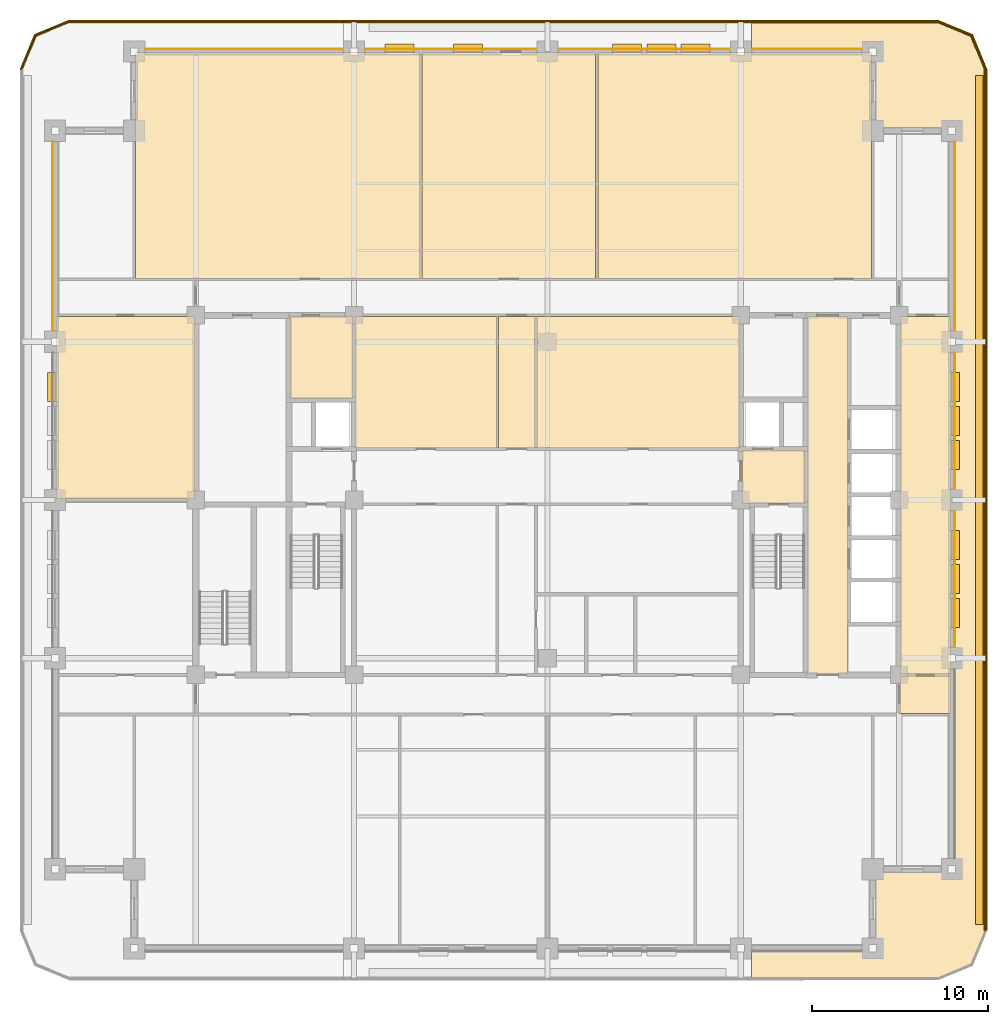
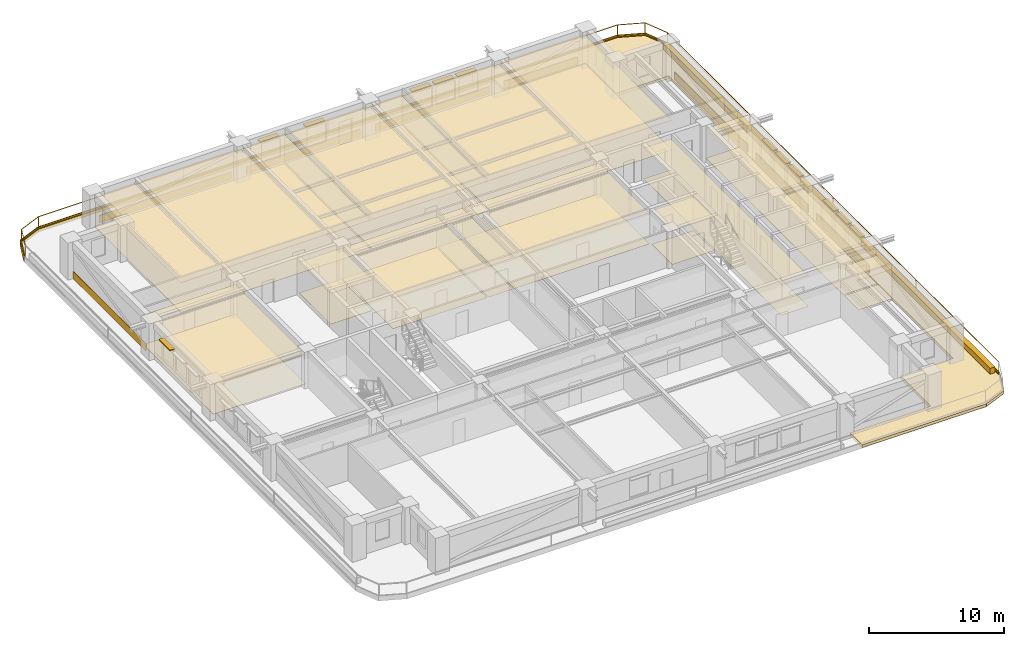
# One storey, part 14 of 14: 40 coverings, 12 shading devices, 2 railings.
"""IFC4 building model written with IfcOpenShell, lengths in metres."""

import ifcopenshell
import ifcopenshell.guid

model = None  # the IFC model being written
_history = None  # IfcOwnerHistory: only IFC2X3 demands one
_inside = {}  # id of a spatial element -> (the spatial element, [elements in it])
_under = {}  # id of a project, library or spatial element -> (it, [spatial elements below it])
_declared = {}  # id of a project -> (the project, [libraries it declares])
_typed = {}  # id of a type object -> (the type object, [elements of that type])
_made_of = {}  # id of a material, layer set ... -> (it, [elements and type objects made of it])


def new_model(schema):
    """Start an empty IFC model of exactly this schema.

    Asked for "IFC4X3", IfcOpenShell would pick the latest addendum, in which some entities
    have other attributes; the version numbers below select the first issue.
    IFC2X3 requires an IfcOwnerHistory on every rooted entity: one is made here for all.
    """
    global model, _history
    if schema == "IFC4X3":
        model = ifcopenshell.file(schema_version=(4, 3, 0, 0))
    else:
        model = ifcopenshell.file(schema=schema)
    _inside.clear()
    _under.clear()
    _declared.clear()
    _typed.clear()
    _made_of.clear()
    _history = None
    if model.schema == "IFC2X3":
        org = make("IfcOrganization", Name="unknown")
        user = make(
            "IfcPersonAndOrganization",
            ThePerson=make("IfcPerson", FamilyName="unknown"),
            TheOrganization=org,
        )
        app = make(
            "IfcApplication",
            ApplicationDeveloper=org,
            Version="unknown",
            ApplicationFullName="unknown",
            ApplicationIdentifier="unknown",
        )
        _history = make(
            "IfcOwnerHistory",
            OwningUser=user,
            OwningApplication=app,
            ChangeAction="ADDED",
            CreationDate=0,
        )
    return model


def make(cls, **values):
    """One entity of the class cls with the attributes given. An attribute that is None is left unset."""
    return model.create_entity(
        cls, **{name: value for name, value in values.items() if value is not None}
    )


def rooted(cls, **values):
    """An entity with a GlobalId (a new one), such as an element, a storey or a relation."""
    return make(cls, GlobalId=ifcopenshell.guid.new(), OwnerHistory=_history, **values)


def si_unit(unit_type, name, prefix=None):
    """IfcSIUnit, for example si_unit("LENGTHUNIT", "METRE", prefix="MILLI")."""
    return make("IfcSIUnit", UnitType=unit_type, Prefix=prefix, Name=name)


def assignment(units):
    """IfcUnitAssignment: the units of a project."""
    return None if units is None else make("IfcUnitAssignment", Units=units)


def point(xyz):
    """IfcCartesianPoint."""
    return None if xyz is None else make("IfcCartesianPoint", Coordinates=xyz)


def direction(xyz):
    """IfcDirection."""
    return None if xyz is None else make("IfcDirection", DirectionRatios=xyz)


def frame(location, z_axis=None, x_axis=None):
    """IfcAxis2Placement3D, a coordinate frame: its origin and axes. An axis left out is left unset."""
    return make(
        "IfcAxis2Placement3D",
        Location=point(location),
        Axis=direction(z_axis),
        RefDirection=direction(x_axis),
    )


def frame_2d(location, x_axis=None):
    """IfcAxis2Placement2D, a coordinate frame in the plane: its origin and x axis."""
    return make(
        "IfcAxis2Placement2D", Location=point(location), RefDirection=direction(x_axis)
    )


def origin():
    """The frame at (0, 0, 0) with its axes left unset."""
    return frame((0.0, 0.0, 0.0))


def origin_2d():
    """The frame at (0, 0) in the plane with its x axis left unset."""
    return frame_2d((0.0, 0.0))


def place(relative_to, where):
    """IfcLocalPlacement: puts the frame where relative to a parent placement (None: the world)."""
    return make(
        "IfcLocalPlacement", PlacementRelTo=relative_to, RelativePlacement=where
    )


def context(
    kind, dimensions, precision=None, world=None, true_north=None, identifier=None
):
    """IfcGeometricRepresentationContext, for example the 3D "Model" context."""
    return make(
        "IfcGeometricRepresentationContext",
        ContextIdentifier=identifier,
        ContextType=kind,
        CoordinateSpaceDimension=dimensions,
        Precision=precision,
        WorldCoordinateSystem=world,
        TrueNorth=true_north,
    )


def subcontext(parent, identifier, kind, view, scale=None):
    """IfcGeometricRepresentationSubContext, for example "Body" below "Model"."""
    return make(
        "IfcGeometricRepresentationSubContext",
        ContextIdentifier=identifier,
        ContextType=kind,
        ParentContext=parent,
        TargetScale=scale,
        TargetView=view,
    )


def project(units=None, contexts=None):
    """IfcProject with its units and contexts."""
    return rooted(
        "IfcProject",
        Name="project",
        RepresentationContexts=contexts,
        UnitsInContext=assignment(units),
    )


def spatial(cls, under=None, at=None, **own):
    """A site, building, storey or space (cls), placed at a placement, below another one or the project."""
    s = rooted(cls, ObjectPlacement=at, **own)
    if under is not None:
        _under.setdefault(under.id(), (under, []))[1].append(s)
    return s


def polyline(points):
    """IfcPolyline through the points."""
    return make("IfcPolyline", Points=[point(p) for p in points])


def profile(cls, at=None, kind="AREA", **sizes):
    """A parametric profile (cls). Its sizes go by their IFC names, for example OverallWidth=200.0."""
    return make(cls, ProfileType=kind, Position=at, **sizes)


def rectangle(**sizes):
    """IfcRectangleProfileDef."""
    return profile("IfcRectangleProfileDef", **sizes)


def outline(outer, holes=None, kind="AREA"):
    """IfcArbitraryClosedProfileDef: a profile drawn as a closed curve; with holes, ...WithVoids."""
    if holes is None:
        return make("IfcArbitraryClosedProfileDef", ProfileType=kind, OuterCurve=outer)
    return make(
        "IfcArbitraryProfileDefWithVoids",
        ProfileType=kind,
        OuterCurve=outer,
        InnerCurves=holes,
    )


def extrude(swept, where, along, depth):
    """IfcExtrudedAreaSolid: the profile swept, set in the frame where, extruded along a direction by depth."""
    return make(
        "IfcExtrudedAreaSolid",
        SweptArea=swept,
        Position=where,
        ExtrudedDirection=direction(along),
        Depth=depth,
    )


def shape(context_of_items, identifier, shape_type, items):
    """IfcShapeRepresentation: the items that make up one representation, for example the "Body"."""
    return make(
        "IfcShapeRepresentation",
        ContextOfItems=context_of_items,
        RepresentationIdentifier=identifier,
        RepresentationType=shape_type,
        Items=items,
    )


def material(Name=None, Category=None):
    """IfcMaterial."""
    return make("IfcMaterial", Name=Name, Category=Category)


def layer(
    of_material, thickness, ventilated=None, Name=None, Category=None, Priority=None
):
    """IfcMaterialLayer: one layer of a wall or slab, of a material (None: an air gap)."""
    return make(
        "IfcMaterialLayer",
        Material=of_material,
        LayerThickness=thickness,
        IsVentilated=ventilated,
        Name=Name,
        Category=Category,
        Priority=Priority,
    )


def layer_set(layers, Name=None):
    """IfcMaterialLayerSet."""
    return make("IfcMaterialLayerSet", MaterialLayers=layers, LayerSetName=Name)


def made_of(thing, what):
    """Note that an element or type object is made of a material, layer set ...; save() writes the relation."""
    if what is not None:
        _made_of.setdefault(what.id(), (what, []))[1].append(thing)
    return thing


def type_object(cls, material=None, **own):
    """A type object (cls), such as IfcWallType, which elements share."""
    return made_of(rooted(cls, **own), material)


def element(
    cls,
    number,
    at=None,
    inside=None,
    cuts=None,
    type_object=None,
    material=None,
    context=None,
    identifier="Body",
    shape_type=None,
    held_by="IfcProductDefinitionShape",
    body=None,
    shapes=None,
    **own,
):
    """One element of the class cls, such as IfcWall. Its Tag is "e" and its number.

    at: its placement. inside: the storey or other place that contains it. cuts: it is an
    opening in that element (IfcRelVoidsElement). A single representation is given by context,
    identifier, shape_type and body (its items); several are given by shapes. held_by: the class
    of the entity that holds the representations. save() writes the other relations.
    """
    e = rooted(cls, Tag="e%d" % number, ObjectPlacement=at, **own)
    if body is not None:
        shapes = [shape(context, identifier, shape_type, body)]
    if shapes is not None:
        e.Representation = make(held_by, Representations=shapes)
    if inside is not None:
        _inside.setdefault(inside.id(), (inside, []))[1].append(e)
    if cuts is not None:
        rooted(
            "IfcRelVoidsElement", RelatingBuildingElement=cuts, RelatedOpeningElement=e
        )
    if type_object is not None:
        _typed.setdefault(type_object.id(), (type_object, []))[1].append(e)
    return made_of(e, material)


def aggregate(whole, parts):
    """IfcRelAggregates: a whole, such as a stair, and the parts it consists of."""
    return rooted("IfcRelAggregates", RelatingObject=whole, RelatedObjects=parts)


def save(model, path):
    """Write the relations noted so far, then the file.

    IfcRelAggregates (storeys below a building ...), IfcRelContainedInSpatialStructure (elements
    in a storey), IfcRelDefinesByType, IfcRelAssociatesMaterial and IfcRelDeclares: one each for
    every whole, place, type object, material and project.
    """
    for whole, parts in _under.values():
        aggregate(whole, parts)
    for where, things in _inside.values():
        rooted(
            "IfcRelContainedInSpatialStructure",
            RelatedElements=things,
            RelatingStructure=where,
        )
    for kind, things in _typed.values():
        rooted("IfcRelDefinesByType", RelatedObjects=things, RelatingType=kind)
    for what, things in _made_of.values():
        rooted("IfcRelAssociatesMaterial", RelatedObjects=things, RelatingMaterial=what)
    for by, libraries in _declared.values():
        rooted("IfcRelDeclares", RelatingContext=by, RelatedDefinitions=libraries)
    model.write(path)


model = new_model("IFC4")

# Units and contexts
model_context = context("Model", 3, precision=1e-05, world=origin(), true_north=direction((0.0, 1.0)))
body_context = subcontext(model_context, "Body", "Model", "MODEL_VIEW")
ifc_project = project(units=[si_unit("LENGTHUNIT", "METRE"), si_unit("AREAUNIT", "SQUARE_METRE"), si_unit("VOLUMEUNIT", "CUBIC_METRE"), si_unit("PLANEANGLEUNIT", "RADIAN"), si_unit("MASSUNIT", "GRAM", prefix="KILO")], contexts=[model_context])

# Site, building, storey
site_placement = place(None, origin())
site = spatial("IfcSite", under=ifc_project, at=site_placement, CompositionType="ELEMENT")
building_placement = place(site_placement, origin())
building = spatial("IfcBuilding", under=site, at=building_placement, Name="Zulmaris Gate Convention Tower", CompositionType="ELEMENT")
storey_placement = place(building_placement, frame((0.0, 0.0, 135.6298828125)))
storey = spatial("IfcBuildingStorey", under=building, at=storey_placement, Name="L34", CompositionType="ELEMENT", Elevation=135.6298828125)

# Coverings
ifc_material_1 = material(Name="Precast concrete C40/50", Category="concrete")
ifc_layer_1 = layer(ifc_material_1, 0.0400390625, Name="Precast concrete C40/50")
ifc_layer_set_1 = layer_set([ifc_layer_1], Name="Precast concrete C40/50")
covering_type_1 = type_object("IfcCoveringType", Name="CLAD-SPANDREL-PRECAST", PredefinedType="CLADDING", material=ifc_layer_set_1)
covering_1_placement = place(storey_placement, frame((-11.6298828125, 25.64990234375, 0.0), z_axis=(0.0, 0.0, 1.0), x_axis=(-1.0, 0.0, 0.0)))
element("IfcCovering", 1, at=covering_1_placement, inside=storey, type_object=covering_type_1, Name="CLD-L34-N-0_0", PredefinedType="CLADDING", context=body_context, shape_type="SweptSolid", body=[
    extrude(rectangle(XDim=11.240234375, YDim=0.0400390625, at=frame_2d((5.6201171875, 0.0))), origin(), (0.0, 0.0, 1.0), 0.679931640625),
])
for number, where, z_axis, x_axis, name in (
    (2, (-0.6298828125, 25.64990234375, 0.0), (0.0, 0.0, 1.0), (-1.0, 0.0, 0.0), "CLD-L34-N-1_0"),
    (3, (10.3701171875, 25.64990234375, 0.0), (0.0, 0.0, 1.0), (-1.0, 0.0, 0.0), "CLD-L34-N-2_0"),
):
    element("IfcCovering", number, at=place(storey_placement, frame(where, z_axis=z_axis, x_axis=x_axis)), inside=storey, type_object=covering_type_1, Name=name, PredefinedType="CLADDING", context=body_context, shape_type="SweptSolid", body=[
        extrude(rectangle(XDim=9.740234375, YDim=0.0400390625, at=frame_2d((4.8701171875, 0.0))), origin(), (0.0, 0.0, 1.0), 0.679931640625),
    ])
covering_2_placement = place(storey_placement, frame((17.8701171875, 25.64990234375, 0.0), z_axis=(0.0, 0.0, 1.0), x_axis=(-1.0, 0.0, 0.0)))
element("IfcCovering", 4, at=covering_2_placement, inside=storey, type_object=covering_type_1, Name="CLD-L34-N-3_0", PredefinedType="CLADDING", context=body_context, shape_type="SweptSolid", body=[
    extrude(rectangle(XDim=6.240234375, YDim=0.0400390625, at=frame_2d((3.1201171875, 0.0))), origin(), (0.0, 0.0, 1.0), 0.679931640625),
])
for number, where, z_axis, x_axis, name in (
    (5, (23.14990234375, -8.3701171875, 0.0), (0.0, 0.0, 1.0), (0.0, 1.0, 0.0), "CLD-L34-E-1_0"),
    (6, (23.14990234375, 0.6298828125, 0.0), (0.0, 0.0, 1.0), (0.0, 1.0, 0.0), "CLD-L34-E-2_0"),
):
    element("IfcCovering", number, at=place(storey_placement, frame(where, z_axis=z_axis, x_axis=x_axis)), inside=storey, type_object=covering_type_1, Name=name, PredefinedType="CLADDING", context=body_context, shape_type="SweptSolid", body=[
        extrude(rectangle(XDim=7.740234375, YDim=0.0400390625, at=frame_2d((3.8701171875, 0.0))), origin(), (0.0, 0.0, 1.0), 0.679931640625),
    ])
for number, where, z_axis, x_axis, name in (
    (7, (23.14990234375, 9.6298828125, 0.0), (0.0, 0.0, 1.0), (0.0, 1.0, 0.0), "CLD-L34-E-3_0"),
    (8, (-28.14990234375, 20.3701171875, 0.0), (0.0, 0.0, 1.0), (0.0, -1.0, 0.0), "CLD-L34-W-3_0"),
):
    element("IfcCovering", number, at=place(storey_placement, frame(where, z_axis=z_axis, x_axis=x_axis)), inside=storey, type_object=covering_type_1, Name=name, PredefinedType="CLADDING", context=body_context, shape_type="SweptSolid", body=[
        extrude(rectangle(XDim=10.740234375, YDim=0.0400390625, at=frame_2d((5.3701171875, 0.0))), origin(), (0.0, 0.0, 1.0), 0.679931640625),
    ])
ifc_material_2 = material(Name="White Glazed Architectural Precast Concrete C40/50", Category="concrete")
ifc_layer_2 = layer(ifc_material_2, 0.239990234375, Name="White Glazed Architectural Precast Concrete C40/50")
ifc_layer_set_2 = layer_set([ifc_layer_2], Name="White Glazed Architectural Precast Concrete C40/50")
covering_type_2 = type_object("IfcCoveringType", Name="CLAD-TRAY-DECK", PredefinedType="CLADDING", material=ifc_layer_set_2)
covering_3_placement = place(storey_placement, frame((0.0, 0.0, -0.25)))
element("IfcCovering", 9, at=covering_3_placement, inside=storey, type_object=covering_type_2, Name="L34 East Rounded-Fascia Planter Tray Deck", PredefinedType="CLADDING", context=body_context, shape_type="SweptSolid", body=[
    extrude(outline(polyline([(22.199951171875, 27.300048828125), (24.179931640625, 26.47998046875), (25.0, 24.5), (25.0, -24.5), (24.179931640625, -26.47998046875), (22.199951171875, -27.300048828125), (11.60205078125, -27.300048828125), (11.60205078125, -25.5), (18.5, -25.5), (18.5, -21.0), (23.0, -21.0), (23.0, 21.0), (18.5, 21.0), (18.5, 25.5), (11.60205078125, 25.5), (11.60205078125, 27.300048828125), (22.199951171875, 27.300048828125)])), origin(), (0.0, 0.0, 1.0), 0.260009765625),
])
ifc_layer_3 = layer(ifc_material_2, 0.080078125, Name="White Glazed Architectural Precast Concrete C40/50")
ifc_layer_set_3 = layer_set([ifc_layer_3], Name="White Glazed Architectural Precast Concrete C40/50")
covering_type_3 = type_object("IfcCoveringType", Name="CLAD-TRAY-FASCIA", PredefinedType="CLADDING", material=ifc_layer_set_3)
covering_4_placement = place(storey_placement, frame((24.9599609375, -24.5, -0.2900390625), z_axis=(0.0, 0.0, 1.0), x_axis=(0.0, 1.0, 0.0)))
element("IfcCovering", 10, at=covering_4_placement, inside=storey, type_object=covering_type_3, Name="FSC-L34-TR-05", PredefinedType="CLADDING", context=body_context, shape_type="SweptSolid", body=[
    extrude(rectangle(XDim=49.0, YDim=0.080078125, at=frame_2d((24.5, 0.0))), origin(), (0.0, 0.0, 1.0), 0.4599609375),
])
covering_5_placement = place(storey_placement, frame((24.962890625, 24.484619140625, -0.2900390625), z_axis=(0.0, 0.0, 1.0), x_axis=(-0.382656984709, 0.923890487046, 0.0)))
element("IfcCovering", 11, at=covering_5_placement, inside=storey, type_object=covering_type_3, Name="FSC-L34-TR-06", PredefinedType="CLADDING", context=body_context, shape_type="SweptSolid", body=[
    extrude(rectangle(XDim=2.14306640625, YDim=0.080078125, at=frame_2d((1.071533203125, 0.0))), origin(), (0.0, 0.0, 1.0), 0.4599609375),
])
covering_6_placement = place(storey_placement, frame((24.16455078125, 26.44287109375, -0.2900390625), z_axis=(0.0, 0.0, 1.0), x_axis=(-0.923873803533, 0.382697263049, 0.0)))
element("IfcCovering", 12, at=covering_6_placement, inside=storey, type_object=covering_type_3, Name="FSC-L34-TR-07", PredefinedType="CLADDING", context=body_context, shape_type="SweptSolid", body=[
    extrude(rectangle(XDim=2.142822265625, YDim=0.080078125, at=frame_2d((1.0712890625, 0.0))), origin(), (0.0, 0.0, 1.0), 0.4599609375),
])
covering_7_placement = place(storey_placement, frame((22.199951171875, 27.260009765625, -0.2900390625), z_axis=(0.0, 0.0, 1.0), x_axis=(-1.0, 0.0, 0.0)))
element("IfcCovering", 13, at=covering_7_placement, inside=storey, type_object=covering_type_3, Name="FSC-L34-TR-08", PredefinedType="CLADDING", context=body_context, shape_type="SweptSolid", body=[
    extrude(rectangle(XDim=49.39990234375, YDim=0.080078125, at=frame_2d((24.699951171875, 0.0))), origin(), (0.0, 0.0, 1.0), 0.4599609375),
])
covering_8_placement = place(storey_placement, frame((-27.184814453125, 27.262939453125, -0.2900390625), z_axis=(0.0, 0.0, 1.0), x_axis=(-0.923873803533, -0.382697263049, 0.0)))
element("IfcCovering", 14, at=covering_8_placement, inside=storey, type_object=covering_type_3, Name="FSC-L34-TR-09", PredefinedType="CLADDING", context=body_context, shape_type="SweptSolid", body=[
    extrude(rectangle(XDim=2.142822265625, YDim=0.080078125, at=frame_2d((1.0712890625, 0.0))), origin(), (0.0, 0.0, 1.0), 0.4599609375),
])
covering_9_placement = place(storey_placement, frame((-29.142822265625, 26.464599609375, -0.2900390625), z_axis=(0.0, 0.0, 1.0), x_axis=(-0.382656984709, -0.923890487046, 0.0)))
element("IfcCovering", 15, at=covering_9_placement, inside=storey, type_object=covering_type_3, Name="FSC-L34-TR-10", PredefinedType="CLADDING", context=body_context, shape_type="SweptSolid", body=[
    extrude(rectangle(XDim=2.14306640625, YDim=0.080078125, at=frame_2d((1.071533203125, 0.0))), origin(), (0.0, 0.0, 1.0), 0.4599609375),
])
ifc_material_3 = material(Name="Mineral Fibre Acoustic Ceiling Tile")
ifc_layer_4 = layer(ifc_material_3, 0.02001953125, Name="Mineral Fibre Acoustic Ceiling Tile")
ifc_layer_set_4 = layer_set([ifc_layer_4], Name="Mineral Fibre Acoustic Ceiling Tile")
covering_type_4 = type_object("IfcCoveringType", Name="CLG-ACOUSTIC-600", PredefinedType="CEILING", material=ifc_layer_set_4)
covering_10_placement = place(storey_placement, frame((0.0, 0.0, 3.0400390625)))
element("IfcCovering", 16, at=covering_10_placement, inside=storey, type_object=covering_type_4, Name="CLG-L34-R08", PredefinedType="CEILING", context=body_context, shape_type="SweptSolid", body=[
    extrude(outline(polyline([(11.06005859375, -0.18994140625), (14.639892578125, -0.18994140625), (14.639892578125, 2.840087890625), (11.06005859375, 2.840087890625), (11.06005859375, -0.18994140625)])), origin(), (0.0, 0.0, 1.0), 0.02001953125),
])
covering_11_placement = place(storey_placement, frame((0.0, 0.0, 2.778076171875)))
element("IfcCovering", 17, at=covering_11_placement, inside=storey, type_object=covering_type_4, Name="CLG-L34-R11", PredefinedType="CEILING", context=body_context, shape_type="SweptSolid", body=[
    extrude(outline(polyline([(-14.639892578125, 5.760009765625), (-11.06005859375, 5.760009765625), (-11.06005859375, 10.43994140625), (-14.639892578125, 10.43994140625), (-14.639892578125, 5.760009765625)])), origin(), (0.0, 0.0, 1.0), 0.02001953125),
])
covering_12_placement = place(storey_placement, frame((0.0, 0.0, 2.778076171875)))
element("IfcCovering", 18, at=covering_12_placement, inside=storey, type_object=covering_type_4, Name="CLG-L34-R21", PredefinedType="CEILING", context=body_context, shape_type="SweptSolid", body=[
    extrude(outline(polyline([(14.760009765625, -9.889892578125), (17.090087890625, -9.889892578125), (17.090087890625, 10.43994140625), (14.760009765625, 10.43994140625), (14.760009765625, -9.889892578125)])), origin(), (0.0, 0.0, 1.0), 0.02001953125),
])
covering_13_placement = place(storey_placement, frame((0.0, 0.0, 2.778076171875)))
element("IfcCovering", 19, at=covering_13_placement, inside=storey, type_object=covering_type_4, Name="CLG-L34-R28", PredefinedType="CEILING", context=body_context, shape_type="SweptSolid", body=[
    extrude(outline(polyline([(-2.7900390625, 2.9599609375), (-0.7099609375, 2.9599609375), (-0.7099609375, 10.43994140625), (-2.7900390625, 10.43994140625), (-2.7900390625, 2.9599609375)])), origin(), (0.0, 0.0, 1.0), 0.02001953125),
])
covering_14_placement = place(storey_placement, frame((0.0, 0.0, 2.68017578125)))
element("IfcCovering", 20, at=covering_14_placement, inside=storey, type_object=covering_type_4, Name="CLG-L34-R30", PredefinedType="CEILING", context=body_context, shape_type="SweptSolid", body=[
    extrude(outline(polyline([(-23.43994140625, 12.610107421875), (-7.260009765625, 12.610107421875), (-7.260009765625, 25.43994140625), (-23.43994140625, 25.43994140625), (-23.43994140625, 12.610107421875)])), origin(), (0.0, 0.0, 1.0), 0.02001953125),
])
covering_15_placement = place(storey_placement, frame((0.0, 0.0, 2.68017578125)))
element("IfcCovering", 21, at=covering_15_placement, inside=storey, type_object=covering_type_4, Name="CLG-L34-R31", PredefinedType="CEILING", context=body_context, shape_type="SweptSolid", body=[
    extrude(outline(polyline([(-7.139892578125, 12.610107421875), (2.739990234375, 12.610107421875), (2.739990234375, 25.43994140625), (-7.139892578125, 25.43994140625), (-7.139892578125, 12.610107421875)])), origin(), (0.0, 0.0, 1.0), 0.02001953125),
])
covering_16_placement = place(storey_placement, frame((0.0, 0.0, 2.68017578125)))
element("IfcCovering", 22, at=covering_16_placement, inside=storey, type_object=covering_type_4, Name="CLG-L34-R32", PredefinedType="CEILING", context=body_context, shape_type="SweptSolid", body=[
    extrude(outline(polyline([(2.860107421875, 12.610107421875), (18.43994140625, 12.610107421875), (18.43994140625, 25.43994140625), (2.860107421875, 25.43994140625), (2.860107421875, 12.610107421875)])), origin(), (0.0, 0.0, 1.0), 0.02001953125),
])
covering_17_placement = place(storey_placement, frame((0.0, 0.0, 2.778076171875)))
element("IfcCovering", 23, at=covering_17_placement, inside=storey, type_object=covering_type_4, Name="CLG-L34-R37", PredefinedType="CEILING", context=body_context, shape_type="SweptSolid", body=[
    extrude(outline(polyline([(-10.93994140625, 2.9599609375), (-2.909912109375, 2.9599609375), (-2.909912109375, 10.43994140625), (-10.93994140625, 10.43994140625), (-10.93994140625, 2.9599609375)])), origin(), (0.0, 0.0, 1.0), 0.02001953125),
])
covering_18_placement = place(storey_placement, frame((0.0, 0.0, 2.778076171875)))
element("IfcCovering", 24, at=covering_18_placement, inside=storey, type_object=covering_type_4, Name="CLG-L34-R38", PredefinedType="CEILING", context=body_context, shape_type="SweptSolid", body=[
    extrude(outline(polyline([(-0.590087890625, 2.9599609375), (10.93994140625, 2.9599609375), (10.93994140625, 10.43994140625), (-0.590087890625, 10.43994140625), (-0.590087890625, 2.9599609375)])), origin(), (0.0, 0.0, 1.0), 0.02001953125),
])
covering_19_placement = place(storey_placement, frame((0.0, 0.0, 2.68017578125)))
element("IfcCovering", 25, at=covering_19_placement, inside=storey, type_object=covering_type_4, Name="CLG-L34-R46", PredefinedType="CEILING", context=body_context, shape_type="SweptSolid", body=[
    extrude(outline(polyline([(-27.93994140625, 0.06005859375), (-20.06005859375, 0.06005859375), (-20.06005859375, 10.43994140625), (-27.93994140625, 10.43994140625), (-27.93994140625, 0.06005859375)])), origin(), (0.0, 0.0, 1.0), 0.02001953125),
])
covering_20_placement = place(storey_placement, frame((0.0, 0.0, 2.68017578125)))
element("IfcCovering", 26, at=covering_20_placement, inside=storey, type_object=covering_type_4, Name="CLG-L34-R49", PredefinedType="CEILING", context=body_context, shape_type="SweptSolid", body=[
    extrude(outline(polyline([(20.06005859375, -12.139892578125), (22.93994140625, -12.139892578125), (22.93994140625, -10.010009765625), (20.06005859375, -10.010009765625), (20.06005859375, -12.139892578125)])), origin(), (0.0, 0.0, 1.0), 0.02001953125),
])
covering_21_placement = place(storey_placement, frame((0.0, 0.0, 2.68017578125)))
element("IfcCovering", 27, at=covering_21_placement, inside=storey, type_object=covering_type_4, Name="CLG-L34-R50", PredefinedType="CEILING", context=body_context, shape_type="SweptSolid", body=[
    extrude(outline(polyline([(20.06005859375, -9.889892578125), (22.93994140625, -9.889892578125), (22.93994140625, 10.43994140625), (20.06005859375, 10.43994140625), (20.06005859375, -9.889892578125)])), origin(), (0.0, 0.0, 1.0), 0.02001953125),
])
ifc_material_4 = material(Name="Woven Acoustic Wool Carpet Tile")
ifc_layer_5 = layer(ifc_material_4, 0.02001953125, Name="Woven Acoustic Wool Carpet Tile")
ifc_layer_set_5 = layer_set([ifc_layer_5], Name="Woven Acoustic Wool Carpet Tile")
covering_type_5 = type_object("IfcCoveringType", Name="FLR-CARPET-12", PredefinedType="FLOORING", material=ifc_layer_set_5)
covering_22_placement = place(storey_placement, origin())
element("IfcCovering", 28, at=covering_22_placement, inside=storey, type_object=covering_type_5, Name="FLR-L34-R08", PredefinedType="FLOORING", context=body_context, shape_type="SweptSolid", body=[
    extrude(outline(polyline([(11.06005859375, -0.18994140625), (14.639892578125, -0.18994140625), (14.639892578125, 2.840087890625), (11.06005859375, 2.840087890625), (11.06005859375, -0.18994140625)])), origin(), (0.0, 0.0, 1.0), 0.02001953125),
])
covering_23_placement = place(storey_placement, origin())
element("IfcCovering", 29, at=covering_23_placement, inside=storey, type_object=covering_type_5, Name="FLR-L34-R11", PredefinedType="FLOORING", context=body_context, shape_type="SweptSolid", body=[
    extrude(outline(polyline([(-14.639892578125, 5.760009765625), (-11.06005859375, 5.760009765625), (-11.06005859375, 10.43994140625), (-14.639892578125, 10.43994140625), (-14.639892578125, 5.760009765625)])), origin(), (0.0, 0.0, 1.0), 0.02001953125),
])
covering_24_placement = place(storey_placement, origin())
element("IfcCovering", 30, at=covering_24_placement, inside=storey, type_object=covering_type_5, Name="FLR-L34-R21", PredefinedType="FLOORING", context=body_context, shape_type="SweptSolid", body=[
    extrude(outline(polyline([(14.760009765625, -9.889892578125), (17.090087890625, -9.889892578125), (17.090087890625, 10.43994140625), (14.760009765625, 10.43994140625), (14.760009765625, -9.889892578125)])), origin(), (0.0, 0.0, 1.0), 0.02001953125),
])
covering_25_placement = place(storey_placement, origin())
element("IfcCovering", 31, at=covering_25_placement, inside=storey, type_object=covering_type_5, Name="FLR-L34-R28", PredefinedType="FLOORING", context=body_context, shape_type="SweptSolid", body=[
    extrude(outline(polyline([(-2.7900390625, 2.9599609375), (-0.7099609375, 2.9599609375), (-0.7099609375, 10.43994140625), (-2.7900390625, 10.43994140625), (-2.7900390625, 2.9599609375)])), origin(), (0.0, 0.0, 1.0), 0.02001953125),
])
covering_26_placement = place(storey_placement, origin())
element("IfcCovering", 32, at=covering_26_placement, inside=storey, type_object=covering_type_5, Name="FLR-L34-R31", PredefinedType="FLOORING", context=body_context, shape_type="SweptSolid", body=[
    extrude(outline(polyline([(-7.139892578125, 12.610107421875), (2.739990234375, 12.610107421875), (2.739990234375, 25.43994140625), (-7.139892578125, 25.43994140625), (-7.139892578125, 12.610107421875)])), origin(), (0.0, 0.0, 1.0), 0.02001953125),
])
covering_27_placement = place(storey_placement, origin())
element("IfcCovering", 33, at=covering_27_placement, inside=storey, type_object=covering_type_5, Name="FLR-L34-R32", PredefinedType="FLOORING", context=body_context, shape_type="SweptSolid", body=[
    extrude(outline(polyline([(2.860107421875, 12.610107421875), (18.43994140625, 12.610107421875), (18.43994140625, 25.43994140625), (2.860107421875, 25.43994140625), (2.860107421875, 12.610107421875)])), origin(), (0.0, 0.0, 1.0), 0.02001953125),
])
covering_28_placement = place(storey_placement, origin())
element("IfcCovering", 34, at=covering_28_placement, inside=storey, type_object=covering_type_5, Name="FLR-L34-R38", PredefinedType="FLOORING", context=body_context, shape_type="SweptSolid", body=[
    extrude(outline(polyline([(-0.590087890625, 2.9599609375), (10.93994140625, 2.9599609375), (10.93994140625, 10.43994140625), (-0.590087890625, 10.43994140625), (-0.590087890625, 2.9599609375)])), origin(), (0.0, 0.0, 1.0), 0.02001953125),
])
covering_29_placement = place(storey_placement, origin())
element("IfcCovering", 35, at=covering_29_placement, inside=storey, type_object=covering_type_5, Name="FLR-L34-R46", PredefinedType="FLOORING", context=body_context, shape_type="SweptSolid", body=[
    extrude(outline(polyline([(-27.93994140625, 0.06005859375), (-20.06005859375, 0.06005859375), (-20.06005859375, 10.43994140625), (-27.93994140625, 10.43994140625), (-27.93994140625, 0.06005859375)])), origin(), (0.0, 0.0, 1.0), 0.02001953125),
])
covering_30_placement = place(storey_placement, origin())
element("IfcCovering", 36, at=covering_30_placement, inside=storey, type_object=covering_type_5, Name="FLR-L34-R49", PredefinedType="FLOORING", context=body_context, shape_type="SweptSolid", body=[
    extrude(outline(polyline([(20.06005859375, -12.139892578125), (22.93994140625, -12.139892578125), (22.93994140625, -10.010009765625), (20.06005859375, -10.010009765625), (20.06005859375, -12.139892578125)])), origin(), (0.0, 0.0, 1.0), 0.02001953125),
])
covering_31_placement = place(storey_placement, origin())
element("IfcCovering", 37, at=covering_31_placement, inside=storey, type_object=covering_type_5, Name="FLR-L34-R50", PredefinedType="FLOORING", context=body_context, shape_type="SweptSolid", body=[
    extrude(outline(polyline([(20.06005859375, -9.889892578125), (22.93994140625, -9.889892578125), (22.93994140625, 10.43994140625), (20.06005859375, 10.43994140625), (20.06005859375, -9.889892578125)])), origin(), (0.0, 0.0, 1.0), 0.02001953125),
])
ifc_material_5 = material(Name="Polished Granite Terrazzo Tile", Category="masonry")
ifc_layer_6 = layer(ifc_material_5, 0.02001953125, Name="Polished Granite Terrazzo Tile")
ifc_layer_set_6 = layer_set([ifc_layer_6], Name="Polished Granite Terrazzo Tile")
covering_type_6 = type_object("IfcCoveringType", Name="FLR-TERRAZZO-30", PredefinedType="FLOORING", material=ifc_layer_set_6)
covering_32_placement = place(storey_placement, origin())
element("IfcCovering", 38, at=covering_32_placement, inside=storey, type_object=covering_type_6, Name="FLR-L34-R37", PredefinedType="FLOORING", context=body_context, shape_type="SweptSolid", body=[
    extrude(outline(polyline([(-10.93994140625, 2.9599609375), (-2.909912109375, 2.9599609375), (-2.909912109375, 10.43994140625), (-10.93994140625, 10.43994140625), (-10.93994140625, 2.9599609375)])), origin(), (0.0, 0.0, 1.0), 0.02001953125),
])
ifc_material_6 = material(Name="Engineered Teak Parquet Flooring")
ifc_layer_7 = layer(ifc_material_6, 0.02001953125, Name="Engineered Teak Parquet Flooring")
ifc_layer_set_7 = layer_set([ifc_layer_7], Name="Engineered Teak Parquet Flooring")
covering_type_7 = type_object("IfcCoveringType", Name="FLR-TIMBER-18", PredefinedType="FLOORING", material=ifc_layer_set_7)
covering_33_placement = place(storey_placement, origin())
element("IfcCovering", 39, at=covering_33_placement, inside=storey, type_object=covering_type_7, Name="FLR-L34-R30", PredefinedType="FLOORING", context=body_context, shape_type="SweptSolid", body=[
    extrude(outline(polyline([(-23.43994140625, 12.610107421875), (-7.260009765625, 12.610107421875), (-7.260009765625, 25.43994140625), (-23.43994140625, 25.43994140625), (-23.43994140625, 12.610107421875)])), origin(), (0.0, 0.0, 1.0), 0.02001953125),
])
ifc_material_7 = material(Name="Botanical Green Glazed Precast Concrete C40/50", Category="concrete")
ifc_layer_8 = layer(ifc_material_7, 0.419921875, Name="Botanical Green Glazed Precast Concrete C40/50")
ifc_layer_set_8 = layer_set([ifc_layer_8], Name="Botanical Green Glazed Precast Concrete C40/50")
covering_type_8 = type_object("IfcCoveringType", Name="PLANTER-BOX-200", PredefinedType="CLADDING", material=ifc_layer_set_8)
covering_34_placement = place(storey_placement, frame((0.0, 0.0, 0.010009765625)))
element("IfcCovering", 40, at=covering_34_placement, inside=storey, type_object=covering_type_8, Name="L34 E Full-Length Balcony Tree Planter Trough", PredefinedType="CLADDING", context=body_context, shape_type="SweptSolid", body=[
    extrude(outline(polyline([(24.340087890625, -24.14990234375), (24.760009765625, -24.14990234375), (24.760009765625, 24.14990234375), (24.340087890625, 24.14990234375), (24.340087890625, -24.14990234375)])), origin(), (0.0, 0.0, 1.0), 0.52001953125),
])

# Railings
ifc_material_8 = material(Name="Laminated Glass and Stainless Steel", Category="steel")
railing_type = type_object("IfcRailingType", Name="RL-BALC-1150", PredefinedType="BALUSTRADE", material=ifc_material_8)
railing_1_placement = place(storey_placement, frame((24.8798828125, -24.5, 0.010009765625)))
element("IfcRailing", 41, at=railing_1_placement, inside=storey, type_object=railing_type, Name="RL-L34-BALC-E", PredefinedType="BALUSTRADE", context=body_context, shape_type="SweptSolid", body=[
    extrude(rectangle(XDim=0.048095703125, YDim=0.048095703125, at=origin_2d()), frame((0.0, 0.0, 1.1259765625), z_axis=(0.0, 1.0, 0.0), x_axis=(-1.0, 0.0, 0.0)), (0.0, 0.0, 1.0), 49.0),
    extrude(rectangle(XDim=0.048095703125, YDim=0.048095703125, at=origin_2d()), frame((0.0, 0.0, 0.02392578125), z_axis=(0.0, 1.0, 0.0), x_axis=(-1.0, 0.0, 0.0)), (0.0, 0.0, 1.0), 49.0),
    extrude(rectangle(XDim=0.0419921875, YDim=0.0419921875, at=origin_2d()), origin(), (0.0, 0.0, 1.0), 1.101806640625),
    extrude(rectangle(XDim=0.0419921875, YDim=0.0419921875, at=origin_2d()), frame((0.0, 12.25, 0.0)), (0.0, 0.0, 1.0), 1.101806640625),
    extrude(rectangle(XDim=0.0419921875, YDim=0.0419921875, at=origin_2d()), frame((0.0, 24.5, 0.0)), (0.0, 0.0, 1.0), 1.101806640625),
    extrude(rectangle(XDim=0.0419921875, YDim=0.0419921875, at=origin_2d()), frame((0.0, 36.75, 0.0)), (0.0, 0.0, 1.0), 1.101806640625),
    extrude(rectangle(XDim=0.0419921875, YDim=0.0419921875, at=origin_2d()), frame((0.0, 49.0, 0.0)), (0.0, 0.0, 1.0), 1.101806640625),
])
railing_2_placement = place(storey_placement, frame((24.8798828125, 24.5, 0.010009765625)))
element("IfcRailing", 42, at=railing_2_placement, inside=storey, type_object=railing_type, Name="RL-L34-BALC-N", PredefinedType="BALUSTRADE", context=body_context, shape_type="SweptSolid", body=[
    extrude(rectangle(XDim=0.048095703125, YDim=0.048095703125, at=origin_2d()), frame((0.0, 0.0, 1.1259765625), z_axis=(-0.382670664694, 0.92388482095, 0.0), x_axis=(-0.92388482095, -0.382670664694, 0.0)), (0.0, 0.0, 1.0), 2.051025390625),
    extrude(rectangle(XDim=0.048095703125, YDim=0.048095703125, at=origin_2d()), frame((0.0, 0.0, 0.02392578125), z_axis=(-0.382670664694, 0.92388482095, 0.0), x_axis=(-0.92388482095, -0.382670664694, 0.0)), (0.0, 0.0, 1.0), 2.051025390625),
    extrude(rectangle(XDim=0.048095703125, YDim=0.048095703125, at=origin_2d()), frame((-0.784912109375, 1.89501953125, 1.1259765625), z_axis=(-0.92388482095, 0.382670664694, 0.0), x_axis=(-0.382670664694, -0.92388482095, 0.0)), (0.0, 0.0, 1.0), 2.051025390625),
    extrude(rectangle(XDim=0.048095703125, YDim=0.048095703125, at=origin_2d()), frame((-0.784912109375, 1.89501953125, 0.02392578125), z_axis=(-0.92388482095, 0.382670664694, 0.0), x_axis=(-0.382670664694, -0.92388482095, 0.0)), (0.0, 0.0, 1.0), 2.051025390625),
    extrude(rectangle(XDim=0.048095703125, YDim=0.048095703125, at=origin_2d()), frame((-2.679931640625, 2.679931640625, 1.1259765625), z_axis=(-1.0, 0.0, 0.0), x_axis=(0.0, -1.0, 0.0)), (0.0, 0.0, 1.0), 49.39990234375),
    extrude(rectangle(XDim=0.048095703125, YDim=0.048095703125, at=origin_2d()), frame((-2.679931640625, 2.679931640625, 0.02392578125), z_axis=(-1.0, 0.0, 0.0), x_axis=(0.0, -1.0, 0.0)), (0.0, 0.0, 1.0), 49.39990234375),
    extrude(rectangle(XDim=0.048095703125, YDim=0.048095703125, at=origin_2d()), frame((-52.079833984375, 2.679931640625, 1.1259765625), z_axis=(-0.92388482095, -0.382670664694, 0.0), x_axis=(0.382670664694, -0.92388482095, 0.0)), (0.0, 0.0, 1.0), 2.051025390625),
    extrude(rectangle(XDim=0.048095703125, YDim=0.048095703125, at=origin_2d()), frame((-52.079833984375, 2.679931640625, 0.02392578125), z_axis=(-0.92388482095, -0.382670664694, 0.0), x_axis=(0.382670664694, -0.92388482095, 0.0)), (0.0, 0.0, 1.0), 2.051025390625),
    extrude(rectangle(XDim=0.048095703125, YDim=0.048095703125, at=origin_2d()), frame((-53.974853515625, 1.89501953125, 1.1259765625), z_axis=(-0.382670664694, -0.92388482095, 0.0), x_axis=(0.92388482095, -0.382670664694, 0.0)), (0.0, 0.0, 1.0), 2.051025390625),
    extrude(rectangle(XDim=0.048095703125, YDim=0.048095703125, at=origin_2d()), frame((-53.974853515625, 1.89501953125, 0.02392578125), z_axis=(-0.382670664694, -0.92388482095, 0.0), x_axis=(0.92388482095, -0.382670664694, 0.0)), (0.0, 0.0, 1.0), 2.051025390625),
    extrude(rectangle(XDim=0.0419921875, YDim=0.0419921875, at=origin_2d()), origin(), (0.0, 0.0, 1.0), 1.101806640625),
    extrude(rectangle(XDim=0.0419921875, YDim=0.0419921875, at=origin_2d()), frame((-0.784912109375, 1.89501953125, 0.0)), (0.0, 0.0, 1.0), 1.101806640625),
    extrude(rectangle(XDim=0.0419921875, YDim=0.0419921875, at=origin_2d()), frame((-2.679931640625, 2.679931640625, 0.0)), (0.0, 0.0, 1.0), 1.101806640625),
    extrude(rectangle(XDim=0.0419921875, YDim=0.0419921875, at=origin_2d()), frame((-15.02978515625, 2.679931640625, 0.0)), (0.0, 0.0, 1.0), 1.101806640625),
    extrude(rectangle(XDim=0.0419921875, YDim=0.0419921875, at=origin_2d()), frame((-27.3798828125, 2.679931640625, 0.0)), (0.0, 0.0, 1.0), 1.101806640625),
    extrude(rectangle(XDim=0.0419921875, YDim=0.0419921875, at=origin_2d()), frame((-39.72998046875, 2.679931640625, 0.0)), (0.0, 0.0, 1.0), 1.101806640625),
    extrude(rectangle(XDim=0.0419921875, YDim=0.0419921875, at=origin_2d()), frame((-52.079833984375, 2.679931640625, 0.0)), (0.0, 0.0, 1.0), 1.101806640625),
    extrude(rectangle(XDim=0.0419921875, YDim=0.0419921875, at=origin_2d()), frame((-53.974853515625, 1.89501953125, 0.0)), (0.0, 0.0, 1.0), 1.101806640625),
    extrude(rectangle(XDim=0.0419921875, YDim=0.0419921875, at=origin_2d()), frame((-54.759765625, 0.0, 0.0)), (0.0, 0.0, 1.0), 1.101806640625),
])

# Shading devices
ifc_material_9 = material(Name="Glazed Ceramic Terracotta", Category="masonry")
ifc_layer_9 = layer(ifc_material_9, 0.070068359375, Name="Glazed Ceramic Terracotta")
ifc_layer_set_9 = layer_set([ifc_layer_9], Name="Glazed Ceramic Terracotta")
shading_device_type = type_object("IfcShadingDeviceType", Name="SHD-SUNSHADE-TC", PredefinedType="AWNING", material=ifc_layer_set_9)
for number, where, z_axis, x_axis, name in (
    (43, (-3.700927734375, 25.719970703125, 2.530029296875), (0.0, 0.0, 1.0), (-1.0, 0.0, 0.0), "SHD-EW-L34-N-1_0-2"),
    (44, (-7.596923828125, 25.719970703125, 2.530029296875), (0.0, 0.0, 1.0), (-1.0, 0.0, 0.0), "SHD-EW-L34-N-1_0-4"),
    (45, (9.2470703125, 25.719970703125, 2.530029296875), (0.0, 0.0, 1.0), (-1.0, 0.0, 0.0), "SHD-EW-L34-N-2_0-1"),
    (46, (7.299072265625, 25.719970703125, 2.530029296875), (0.0, 0.0, 1.0), (-1.0, 0.0, 0.0), "SHD-EW-L34-N-2_0-2"),
    (47, (5.35107421875, 25.719970703125, 2.530029296875), (0.0, 0.0, 1.0), (-1.0, 0.0, 0.0), "SHD-EW-L34-N-2_0-3"),
):
    element("IfcShadingDevice", number, at=place(storey_placement, frame(where, z_axis=z_axis, x_axis=x_axis)), inside=storey, type_object=shading_device_type, Name=name, PredefinedType="AWNING", context=body_context, shape_type="SweptSolid", body=[
        extrude(rectangle(XDim=1.650146484375, YDim=0.43994140625, at=frame_2d((0.8251953125, 0.0))), origin(), (0.0, 0.0, 1.0), 0.070068359375),
    ])
for number, where, z_axis, x_axis, name in (
    (48, (23.219970703125, -7.260009765625, 2.530029296875), (0.0, 0.0, 1.0), (0.0, 1.0, 0.0), "SHD-EW-L34-E-1_0-1"),
    (49, (23.219970703125, -5.324951171875, 2.530029296875), (0.0, 0.0, 1.0), (0.0, 1.0, 0.0), "SHD-EW-L34-E-1_0-2"),
    (50, (23.219970703125, -3.389892578125, 2.530029296875), (0.0, 0.0, 1.0), (0.0, 1.0, 0.0), "SHD-EW-L34-E-1_0-3"),
    (51, (23.219970703125, 1.739990234375, 2.530029296875), (0.0, 0.0, 1.0), (0.0, 1.0, 0.0), "SHD-EW-L34-E-2_0-1"),
    (52, (23.219970703125, 3.675048828125, 2.530029296875), (0.0, 0.0, 1.0), (0.0, 1.0, 0.0), "SHD-EW-L34-E-2_0-2"),
    (53, (23.219970703125, 5.610107421875, 2.530029296875), (0.0, 0.0, 1.0), (0.0, 1.0, 0.0), "SHD-EW-L34-E-2_0-3"),
    (54, (-28.219970703125, 7.260009765625, 2.530029296875), (0.0, 0.0, 1.0), (0.0, -1.0, 0.0), "SHD-EW-L34-W-2_0-1"),
):
    element("IfcShadingDevice", number, at=place(storey_placement, frame(where, z_axis=z_axis, x_axis=x_axis)), inside=storey, type_object=shading_device_type, Name=name, PredefinedType="AWNING", context=body_context, shape_type="SweptSolid", body=[
        extrude(rectangle(XDim=1.64990234375, YDim=0.43994140625, at=frame_2d((0.824951171875, 0.0))), origin(), (0.0, 0.0, 1.0), 0.070068359375),
    ])

save(model, "model.ifc")
